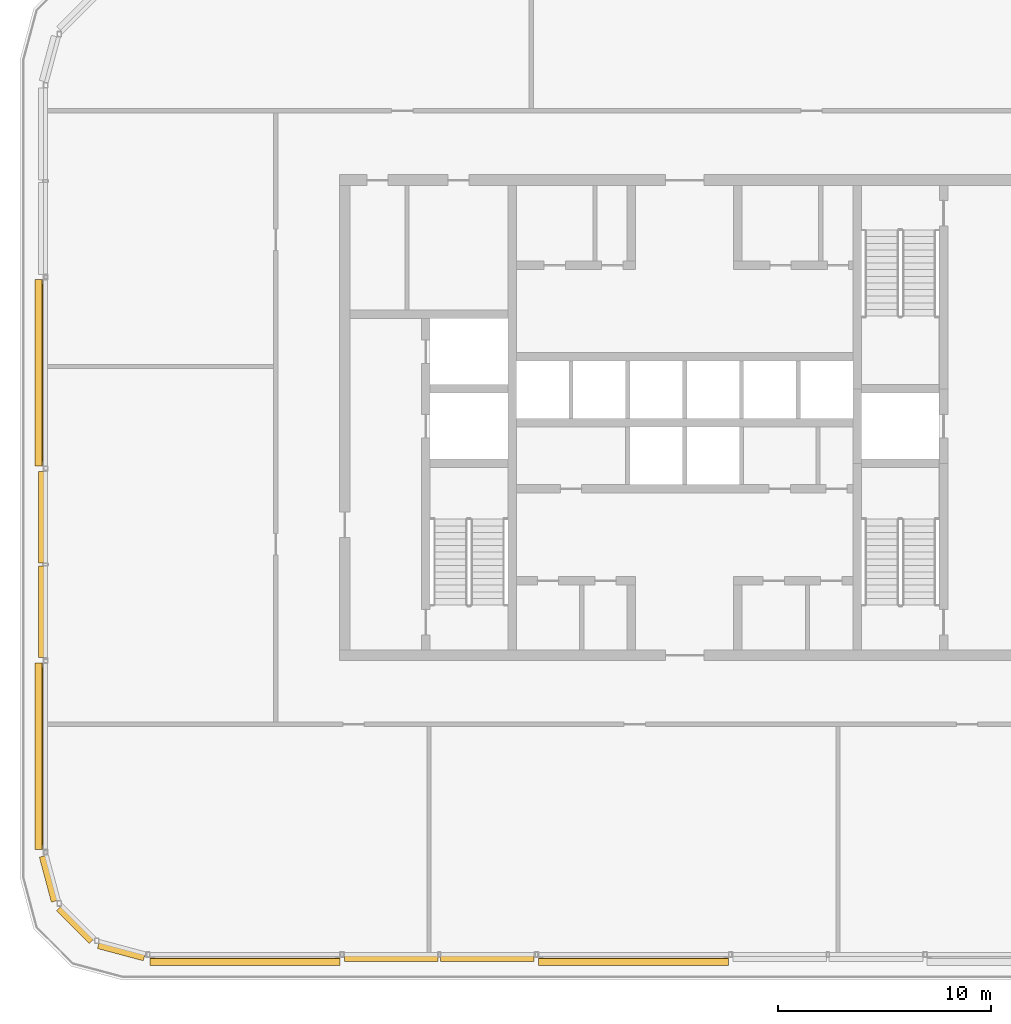
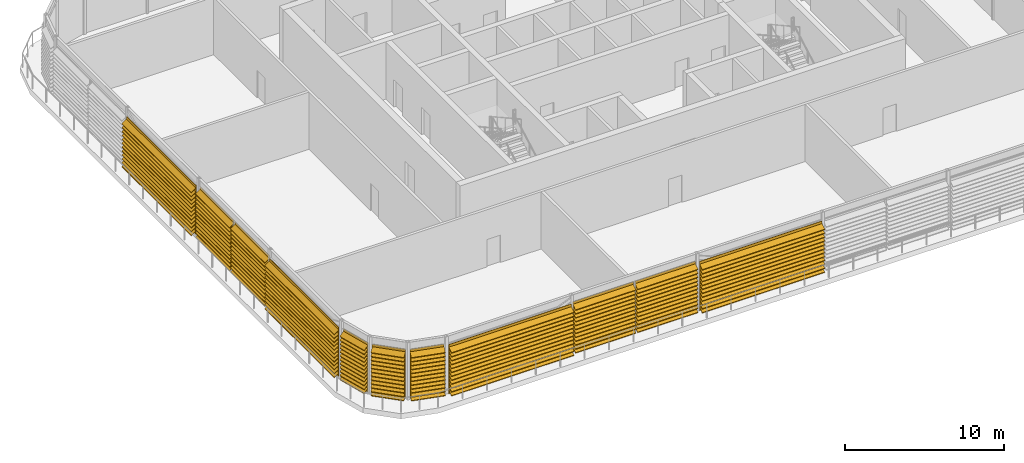
# One storey, part 24 of 29: 11 shading devices.
"""IFC4 building model written with IfcOpenShell, lengths in metres."""

from ifc_helpers import new_model, si_unit, direction, frame, origin, place, context, subcontext, project, spatial, polyline, outline, extrude, material, type_object, element, save


model = new_model("IFC4")

# Units and contexts
model_context = context("Model", 3, precision=1e-05, world=origin(), true_north=direction((0.0, 1.0)))
body_context = subcontext(model_context, "Body", "Model", "MODEL_VIEW")
ifc_project = project(units=[si_unit("LENGTHUNIT", "METRE"), si_unit("AREAUNIT", "SQUARE_METRE"), si_unit("VOLUMEUNIT", "CUBIC_METRE"), si_unit("PLANEANGLEUNIT", "RADIAN"), si_unit("MASSUNIT", "GRAM", prefix="KILO")], contexts=[model_context])

# Site, building, storey
site_placement = place(None, origin())
site = spatial("IfcSite", under=ifc_project, at=site_placement, CompositionType="ELEMENT")
building_placement = place(site_placement, origin())
building = spatial("IfcBuilding", under=site, at=building_placement, Name="Madar Terraces", CompositionType="ELEMENT")
storey_placement = place(building_placement, frame((0.0, 0.0, 296.300048828125)))
storey = spatial("IfcBuildingStorey", under=building, at=storey_placement, Name="L77", CompositionType="ELEMENT", Elevation=296.300048828125)

# Shading devices
ifc_material = material(Name="Aluminium, black anodised", Category="aluminium")
shading_device_type = type_object("IfcShadingDeviceType", Name="Crown louvre bank", PredefinedType="USERDEFINED", material=ifc_material)
shading_device_1_placement = place(storey_placement, frame((6.1015625, 1.199951171875, 0.0), z_axis=(1.0, 0.0, 0.0), x_axis=(0.0, 1.0, 0.0)))
element("IfcShadingDevice", 1, at=shading_device_1_placement, inside=storey, type_object=shading_device_type, Name="LOUVRE bank L77 1.1", ObjectType="LOUVRE", PredefinedType="USERDEFINED", context=body_context, shape_type="SweptSolid", body=[
    extrude(outline(polyline([(-0.156982421875, 0.0), (-0.18701171875, 0.0), (-0.18701171875, 0.24951171875), (-0.5146484375, 0.02001953125), (-0.5146484375, 0.06884765625), (-0.18701171875, 0.29833984375), (-0.18701171875, 0.54931640625), (-0.5146484375, 0.320068359375), (-0.5146484375, 0.368896484375), (-0.18701171875, 0.59814453125), (-0.18701171875, 0.849365234375), (-0.5146484375, 0.6201171875), (-0.5146484375, 0.6689453125), (-0.18701171875, 0.898193359375), (-0.18701171875, 1.1494140625), (-0.5146484375, 0.919921875), (-0.5146484375, 0.96875), (-0.18701171875, 1.1982421875), (-0.18701171875, 1.449462890625), (-0.5146484375, 1.219970703125), (-0.5146484375, 1.268798828125), (-0.18701171875, 1.498291015625), (-0.18701171875, 1.74951171875), (-0.5146484375, 1.52001953125), (-0.5146484375, 1.56884765625), (-0.18701171875, 1.79833984375), (-0.18701171875, 2.04931640625), (-0.5146484375, 1.820068359375), (-0.5146484375, 1.868896484375), (-0.18701171875, 2.09814453125), (-0.18701171875, 2.349365234375), (-0.5146484375, 2.1201171875), (-0.5146484375, 2.1689453125), (-0.18701171875, 2.398193359375), (-0.18701171875, 2.6494140625), (-0.5146484375, 2.419921875), (-0.5146484375, 2.46875), (-0.18701171875, 2.6982421875), (-0.18701171875, 2.949462890625), (-0.5146484375, 2.719970703125), (-0.5146484375, 2.768798828125), (-0.18701171875, 2.998291015625), (-0.18701171875, 3.24951171875), (-0.5146484375, 3.02001953125), (-0.5146484375, 3.06884765625), (-0.18701171875, 3.29833984375), (-0.18701171875, 3.54931640625), (-0.5146484375, 3.320068359375), (-0.5146484375, 3.368896484375), (-0.18701171875, 3.59814453125), (-0.18701171875, 3.798095703125), (-0.156982421875, 3.798095703125), (-0.156982421875, 0.0)])), origin(), (0.0, 0.0, 1.0), 8.916748046875),
])
shading_device_2_placement = place(storey_placement, frame((15.2216796875, 1.199951171875, 0.0), z_axis=(1.0, 0.0, 0.0), x_axis=(0.0, 1.0, 0.0)))
element("IfcShadingDevice", 2, at=shading_device_2_placement, inside=storey, type_object=shading_device_type, Name="LOUVRE bank L77 2.1", ObjectType="LOUVRE", PredefinedType="USERDEFINED", context=body_context, shape_type="SweptSolid", body=[
    extrude(outline(polyline([(0.014892578125, 0.0), (-0.014892578125, 0.0), (-0.014892578125, 0.24951171875), (-0.3427734375, 0.02001953125), (-0.3427734375, 0.06884765625), (-0.014892578125, 0.29833984375), (-0.014892578125, 0.54931640625), (-0.3427734375, 0.320068359375), (-0.3427734375, 0.368896484375), (-0.014892578125, 0.59814453125), (-0.014892578125, 0.849365234375), (-0.3427734375, 0.6201171875), (-0.3427734375, 0.6689453125), (-0.014892578125, 0.898193359375), (-0.014892578125, 1.1494140625), (-0.3427734375, 0.919921875), (-0.3427734375, 0.96875), (-0.014892578125, 1.1982421875), (-0.014892578125, 1.449462890625), (-0.3427734375, 1.219970703125), (-0.3427734375, 1.268798828125), (-0.014892578125, 1.498291015625), (-0.014892578125, 1.74951171875), (-0.3427734375, 1.52001953125), (-0.3427734375, 1.56884765625), (-0.014892578125, 1.79833984375), (-0.014892578125, 2.04931640625), (-0.3427734375, 1.820068359375), (-0.3427734375, 1.868896484375), (-0.014892578125, 2.09814453125), (-0.014892578125, 2.349365234375), (-0.3427734375, 2.1201171875), (-0.3427734375, 2.1689453125), (-0.014892578125, 2.398193359375), (-0.014892578125, 2.6494140625), (-0.3427734375, 2.419921875), (-0.3427734375, 2.46875), (-0.014892578125, 2.6982421875), (-0.014892578125, 2.949462890625), (-0.3427734375, 2.719970703125), (-0.3427734375, 2.768798828125), (-0.014892578125, 2.998291015625), (-0.014892578125, 3.24951171875), (-0.3427734375, 3.02001953125), (-0.3427734375, 3.06884765625), (-0.014892578125, 3.29833984375), (-0.014892578125, 3.54931640625), (-0.3427734375, 3.320068359375), (-0.3427734375, 3.368896484375), (-0.014892578125, 3.59814453125), (-0.014892578125, 3.798095703125), (0.014892578125, 3.798095703125), (0.014892578125, 0.0)])), origin(), (0.0, 0.0, 1.0), 4.394775390625),
])
shading_device_3_placement = place(storey_placement, frame((19.743408203125, 1.199951171875, 0.0), z_axis=(1.0, 0.0, 0.0), x_axis=(0.0, 1.0, 0.0)))
element("IfcShadingDevice", 3, at=shading_device_3_placement, inside=storey, type_object=shading_device_type, Name="LOUVRE bank L77 2.2", ObjectType="LOUVRE", PredefinedType="USERDEFINED", context=body_context, shape_type="SweptSolid", body=[
    extrude(outline(polyline([(0.014892578125, 0.0), (-0.014892578125, 0.0), (-0.014892578125, 0.24951171875), (-0.3427734375, 0.02001953125), (-0.3427734375, 0.06884765625), (-0.014892578125, 0.29833984375), (-0.014892578125, 0.54931640625), (-0.3427734375, 0.320068359375), (-0.3427734375, 0.368896484375), (-0.014892578125, 0.59814453125), (-0.014892578125, 0.849365234375), (-0.3427734375, 0.6201171875), (-0.3427734375, 0.6689453125), (-0.014892578125, 0.898193359375), (-0.014892578125, 1.1494140625), (-0.3427734375, 0.919921875), (-0.3427734375, 0.96875), (-0.014892578125, 1.1982421875), (-0.014892578125, 1.449462890625), (-0.3427734375, 1.219970703125), (-0.3427734375, 1.268798828125), (-0.014892578125, 1.498291015625), (-0.014892578125, 1.74951171875), (-0.3427734375, 1.52001953125), (-0.3427734375, 1.56884765625), (-0.014892578125, 1.79833984375), (-0.014892578125, 2.04931640625), (-0.3427734375, 1.820068359375), (-0.3427734375, 1.868896484375), (-0.014892578125, 2.09814453125), (-0.014892578125, 2.349365234375), (-0.3427734375, 2.1201171875), (-0.3427734375, 2.1689453125), (-0.014892578125, 2.398193359375), (-0.014892578125, 2.6494140625), (-0.3427734375, 2.419921875), (-0.3427734375, 2.46875), (-0.014892578125, 2.6982421875), (-0.014892578125, 2.949462890625), (-0.3427734375, 2.719970703125), (-0.3427734375, 2.768798828125), (-0.014892578125, 2.998291015625), (-0.014892578125, 3.24951171875), (-0.3427734375, 3.02001953125), (-0.3427734375, 3.06884765625), (-0.014892578125, 3.29833984375), (-0.014892578125, 3.54931640625), (-0.3427734375, 3.320068359375), (-0.3427734375, 3.368896484375), (-0.014892578125, 3.59814453125), (-0.014892578125, 3.798095703125), (0.014892578125, 3.798095703125), (0.014892578125, 0.0)])), origin(), (0.0, 0.0, 1.0), 4.39501953125),
])
shading_device_4_placement = place(storey_placement, frame((24.341552734375, 1.199951171875, 0.0), z_axis=(1.0, 0.0, 0.0), x_axis=(0.0, 1.0, 0.0)))
element("IfcShadingDevice", 4, at=shading_device_4_placement, inside=storey, type_object=shading_device_type, Name="LOUVRE bank L77 3.1", ObjectType="LOUVRE", PredefinedType="USERDEFINED", context=body_context, shape_type="SweptSolid", body=[
    extrude(outline(polyline([(-0.156982421875, 0.0), (-0.18701171875, 0.0), (-0.18701171875, 0.24951171875), (-0.5146484375, 0.02001953125), (-0.5146484375, 0.06884765625), (-0.18701171875, 0.29833984375), (-0.18701171875, 0.54931640625), (-0.5146484375, 0.320068359375), (-0.5146484375, 0.368896484375), (-0.18701171875, 0.59814453125), (-0.18701171875, 0.849365234375), (-0.5146484375, 0.6201171875), (-0.5146484375, 0.6689453125), (-0.18701171875, 0.898193359375), (-0.18701171875, 1.1494140625), (-0.5146484375, 0.919921875), (-0.5146484375, 0.96875), (-0.18701171875, 1.1982421875), (-0.18701171875, 1.449462890625), (-0.5146484375, 1.219970703125), (-0.5146484375, 1.268798828125), (-0.18701171875, 1.498291015625), (-0.18701171875, 1.74951171875), (-0.5146484375, 1.52001953125), (-0.5146484375, 1.56884765625), (-0.18701171875, 1.79833984375), (-0.18701171875, 2.04931640625), (-0.5146484375, 1.820068359375), (-0.5146484375, 1.868896484375), (-0.18701171875, 2.09814453125), (-0.18701171875, 2.349365234375), (-0.5146484375, 2.1201171875), (-0.5146484375, 2.1689453125), (-0.18701171875, 2.398193359375), (-0.18701171875, 2.6494140625), (-0.5146484375, 2.419921875), (-0.5146484375, 2.46875), (-0.18701171875, 2.6982421875), (-0.18701171875, 2.949462890625), (-0.5146484375, 2.719970703125), (-0.5146484375, 2.768798828125), (-0.18701171875, 2.998291015625), (-0.18701171875, 3.24951171875), (-0.5146484375, 3.02001953125), (-0.5146484375, 3.06884765625), (-0.18701171875, 3.29833984375), (-0.18701171875, 3.54931640625), (-0.5146484375, 3.320068359375), (-0.5146484375, 3.368896484375), (-0.18701171875, 3.59814453125), (-0.18701171875, 3.798095703125), (-0.156982421875, 3.798095703125), (-0.156982421875, 0.0)])), origin(), (0.0, 0.0, 1.0), 8.916748046875),
])
shading_device_5_placement = place(storey_placement, frame((1.199951171875, 32.873046875, 0.0), z_axis=(0.0, -1.0, 0.0), x_axis=(1.0, 0.0, 0.0)))
element("IfcShadingDevice", 5, at=shading_device_5_placement, inside=storey, type_object=shading_device_type, Name="LOUVRE bank L77 25.1", ObjectType="LOUVRE", PredefinedType="USERDEFINED", context=body_context, shape_type="SweptSolid", body=[
    extrude(outline(polyline([(-0.131591796875, 0.0), (-0.16162109375, 0.0), (-0.16162109375, 0.24951171875), (-0.4892578125, 0.02001953125), (-0.4892578125, 0.06884765625), (-0.16162109375, 0.29833984375), (-0.16162109375, 0.54931640625), (-0.4892578125, 0.320068359375), (-0.4892578125, 0.368896484375), (-0.16162109375, 0.59814453125), (-0.16162109375, 0.849365234375), (-0.4892578125, 0.6201171875), (-0.4892578125, 0.6689453125), (-0.16162109375, 0.898193359375), (-0.16162109375, 1.1494140625), (-0.4892578125, 0.919921875), (-0.4892578125, 0.96875), (-0.16162109375, 1.1982421875), (-0.16162109375, 1.449462890625), (-0.4892578125, 1.219970703125), (-0.4892578125, 1.268798828125), (-0.16162109375, 1.498291015625), (-0.16162109375, 1.74951171875), (-0.4892578125, 1.52001953125), (-0.4892578125, 1.56884765625), (-0.16162109375, 1.79833984375), (-0.16162109375, 2.04931640625), (-0.4892578125, 1.820068359375), (-0.4892578125, 1.868896484375), (-0.16162109375, 2.09814453125), (-0.16162109375, 2.349365234375), (-0.4892578125, 2.1201171875), (-0.4892578125, 2.1689453125), (-0.16162109375, 2.398193359375), (-0.16162109375, 2.6494140625), (-0.4892578125, 2.419921875), (-0.4892578125, 2.46875), (-0.16162109375, 2.6982421875), (-0.16162109375, 2.949462890625), (-0.4892578125, 2.719970703125), (-0.4892578125, 2.768798828125), (-0.16162109375, 2.998291015625), (-0.16162109375, 3.24951171875), (-0.4892578125, 3.02001953125), (-0.4892578125, 3.06884765625), (-0.16162109375, 3.29833984375), (-0.16162109375, 3.54931640625), (-0.4892578125, 3.320068359375), (-0.4892578125, 3.368896484375), (-0.16162109375, 3.59814453125), (-0.16162109375, 3.798095703125), (-0.131591796875, 3.798095703125), (-0.131591796875, 0.0)])), origin(), (0.0, 0.0, 1.0), 8.74609375),
])
shading_device_6_placement = place(storey_placement, frame((1.199951171875, 23.873046875, 0.0), z_axis=(0.0, -1.0, 0.0), x_axis=(1.0, 0.0, 0.0)))
element("IfcShadingDevice", 6, at=shading_device_6_placement, inside=storey, type_object=shading_device_type, Name="LOUVRE bank L77 26.1", ObjectType="LOUVRE", PredefinedType="USERDEFINED", context=body_context, shape_type="SweptSolid", body=[
    extrude(outline(polyline([(0.014892578125, 0.0), (-0.014892578125, 0.0), (-0.014892578125, 0.24951171875), (-0.3427734375, 0.02001953125), (-0.3427734375, 0.06884765625), (-0.014892578125, 0.29833984375), (-0.014892578125, 0.54931640625), (-0.3427734375, 0.320068359375), (-0.3427734375, 0.368896484375), (-0.014892578125, 0.59814453125), (-0.014892578125, 0.849365234375), (-0.3427734375, 0.6201171875), (-0.3427734375, 0.6689453125), (-0.014892578125, 0.898193359375), (-0.014892578125, 1.1494140625), (-0.3427734375, 0.919921875), (-0.3427734375, 0.96875), (-0.014892578125, 1.1982421875), (-0.014892578125, 1.449462890625), (-0.3427734375, 1.219970703125), (-0.3427734375, 1.268798828125), (-0.014892578125, 1.498291015625), (-0.014892578125, 1.74951171875), (-0.3427734375, 1.52001953125), (-0.3427734375, 1.56884765625), (-0.014892578125, 1.79833984375), (-0.014892578125, 2.04931640625), (-0.3427734375, 1.820068359375), (-0.3427734375, 1.868896484375), (-0.014892578125, 2.09814453125), (-0.014892578125, 2.349365234375), (-0.3427734375, 2.1201171875), (-0.3427734375, 2.1689453125), (-0.014892578125, 2.398193359375), (-0.014892578125, 2.6494140625), (-0.3427734375, 2.419921875), (-0.3427734375, 2.46875), (-0.014892578125, 2.6982421875), (-0.014892578125, 2.949462890625), (-0.3427734375, 2.719970703125), (-0.3427734375, 2.768798828125), (-0.014892578125, 2.998291015625), (-0.014892578125, 3.24951171875), (-0.3427734375, 3.02001953125), (-0.3427734375, 3.06884765625), (-0.014892578125, 3.29833984375), (-0.014892578125, 3.54931640625), (-0.3427734375, 3.320068359375), (-0.3427734375, 3.368896484375), (-0.014892578125, 3.59814453125), (-0.014892578125, 3.798095703125), (0.014892578125, 3.798095703125), (0.014892578125, 0.0)])), origin(), (0.0, 0.0, 1.0), 4.3095703125),
])
shading_device_7_placement = place(storey_placement, frame((1.199951171875, 19.4365234375, 0.0), z_axis=(0.0, -1.0, 0.0), x_axis=(1.0, 0.0, 0.0)))
element("IfcShadingDevice", 7, at=shading_device_7_placement, inside=storey, type_object=shading_device_type, Name="LOUVRE bank L77 26.2", ObjectType="LOUVRE", PredefinedType="USERDEFINED", context=body_context, shape_type="SweptSolid", body=[
    extrude(outline(polyline([(0.014892578125, 0.0), (-0.014892578125, 0.0), (-0.014892578125, 0.24951171875), (-0.3427734375, 0.02001953125), (-0.3427734375, 0.06884765625), (-0.014892578125, 0.29833984375), (-0.014892578125, 0.54931640625), (-0.3427734375, 0.320068359375), (-0.3427734375, 0.368896484375), (-0.014892578125, 0.59814453125), (-0.014892578125, 0.849365234375), (-0.3427734375, 0.6201171875), (-0.3427734375, 0.6689453125), (-0.014892578125, 0.898193359375), (-0.014892578125, 1.1494140625), (-0.3427734375, 0.919921875), (-0.3427734375, 0.96875), (-0.014892578125, 1.1982421875), (-0.014892578125, 1.449462890625), (-0.3427734375, 1.219970703125), (-0.3427734375, 1.268798828125), (-0.014892578125, 1.498291015625), (-0.014892578125, 1.74951171875), (-0.3427734375, 1.52001953125), (-0.3427734375, 1.56884765625), (-0.014892578125, 1.79833984375), (-0.014892578125, 2.04931640625), (-0.3427734375, 1.820068359375), (-0.3427734375, 1.868896484375), (-0.014892578125, 2.09814453125), (-0.014892578125, 2.349365234375), (-0.3427734375, 2.1201171875), (-0.3427734375, 2.1689453125), (-0.014892578125, 2.398193359375), (-0.014892578125, 2.6494140625), (-0.3427734375, 2.419921875), (-0.3427734375, 2.46875), (-0.014892578125, 2.6982421875), (-0.014892578125, 2.949462890625), (-0.3427734375, 2.719970703125), (-0.3427734375, 2.768798828125), (-0.014892578125, 2.998291015625), (-0.014892578125, 3.24951171875), (-0.3427734375, 3.02001953125), (-0.3427734375, 3.06884765625), (-0.014892578125, 3.29833984375), (-0.014892578125, 3.54931640625), (-0.3427734375, 3.320068359375), (-0.3427734375, 3.368896484375), (-0.014892578125, 3.59814453125), (-0.014892578125, 3.798095703125), (0.014892578125, 3.798095703125), (0.014892578125, 0.0)])), origin(), (0.0, 0.0, 1.0), 4.3095703125),
])
shading_device_8_placement = place(storey_placement, frame((1.199951171875, 14.873046875, 0.0), z_axis=(0.0, -1.0, 0.0), x_axis=(1.0, 0.0, 0.0)))
element("IfcShadingDevice", 8, at=shading_device_8_placement, inside=storey, type_object=shading_device_type, Name="LOUVRE bank L77 27.1", ObjectType="LOUVRE", PredefinedType="USERDEFINED", context=body_context, shape_type="SweptSolid", body=[
    extrude(outline(polyline([(-0.131591796875, 0.0), (-0.16162109375, 0.0), (-0.16162109375, 0.24951171875), (-0.4892578125, 0.02001953125), (-0.4892578125, 0.06884765625), (-0.16162109375, 0.29833984375), (-0.16162109375, 0.54931640625), (-0.4892578125, 0.320068359375), (-0.4892578125, 0.368896484375), (-0.16162109375, 0.59814453125), (-0.16162109375, 0.849365234375), (-0.4892578125, 0.6201171875), (-0.4892578125, 0.6689453125), (-0.16162109375, 0.898193359375), (-0.16162109375, 1.1494140625), (-0.4892578125, 0.919921875), (-0.4892578125, 0.96875), (-0.16162109375, 1.1982421875), (-0.16162109375, 1.449462890625), (-0.4892578125, 1.219970703125), (-0.4892578125, 1.268798828125), (-0.16162109375, 1.498291015625), (-0.16162109375, 1.74951171875), (-0.4892578125, 1.52001953125), (-0.4892578125, 1.56884765625), (-0.16162109375, 1.79833984375), (-0.16162109375, 2.04931640625), (-0.4892578125, 1.820068359375), (-0.4892578125, 1.868896484375), (-0.16162109375, 2.09814453125), (-0.16162109375, 2.349365234375), (-0.4892578125, 2.1201171875), (-0.4892578125, 2.1689453125), (-0.16162109375, 2.398193359375), (-0.16162109375, 2.6494140625), (-0.4892578125, 2.419921875), (-0.4892578125, 2.46875), (-0.16162109375, 2.6982421875), (-0.16162109375, 2.949462890625), (-0.4892578125, 2.719970703125), (-0.4892578125, 2.768798828125), (-0.16162109375, 2.998291015625), (-0.16162109375, 3.24951171875), (-0.4892578125, 3.02001953125), (-0.4892578125, 3.06884765625), (-0.16162109375, 3.29833984375), (-0.16162109375, 3.54931640625), (-0.4892578125, 3.320068359375), (-0.4892578125, 3.368896484375), (-0.16162109375, 3.59814453125), (-0.16162109375, 3.798095703125), (-0.131591796875, 3.798095703125), (-0.131591796875, 0.0)])), origin(), (0.0, 0.0, 1.0), 8.74609375),
])
shading_device_9_placement = place(storey_placement, frame((1.238525390625, 5.856201171875, 0.0), z_axis=(0.258788169352, -0.965934098893, 0.0), x_axis=(0.965934098893, 0.258788169352, 0.0)))
element("IfcShadingDevice", 9, at=shading_device_9_placement, inside=storey, type_object=shading_device_type, Name="LOUVRE bank L77 28.1", ObjectType="LOUVRE", PredefinedType="USERDEFINED", context=body_context, shape_type="SweptSolid", body=[
    extrude(outline(polyline([(0.014892578125, 0.0), (-0.014892578125, 0.0), (-0.014892578125, 0.24951171875), (-0.3427734375, 0.02001953125), (-0.3427734375, 0.06884765625), (-0.014892578125, 0.29833984375), (-0.014892578125, 0.54931640625), (-0.3427734375, 0.320068359375), (-0.3427734375, 0.368896484375), (-0.014892578125, 0.59814453125), (-0.014892578125, 0.849365234375), (-0.3427734375, 0.6201171875), (-0.3427734375, 0.6689453125), (-0.014892578125, 0.898193359375), (-0.014892578125, 1.1494140625), (-0.3427734375, 0.919921875), (-0.3427734375, 0.96875), (-0.014892578125, 1.1982421875), (-0.014892578125, 1.449462890625), (-0.3427734375, 1.219970703125), (-0.3427734375, 1.268798828125), (-0.014892578125, 1.498291015625), (-0.014892578125, 1.74951171875), (-0.3427734375, 1.52001953125), (-0.3427734375, 1.56884765625), (-0.014892578125, 1.79833984375), (-0.014892578125, 2.04931640625), (-0.3427734375, 1.820068359375), (-0.3427734375, 1.868896484375), (-0.014892578125, 2.09814453125), (-0.014892578125, 2.349365234375), (-0.3427734375, 2.1201171875), (-0.3427734375, 2.1689453125), (-0.014892578125, 2.398193359375), (-0.014892578125, 2.6494140625), (-0.3427734375, 2.419921875), (-0.3427734375, 2.46875), (-0.014892578125, 2.6982421875), (-0.014892578125, 2.949462890625), (-0.3427734375, 2.719970703125), (-0.3427734375, 2.768798828125), (-0.014892578125, 2.998291015625), (-0.014892578125, 3.24951171875), (-0.3427734375, 3.02001953125), (-0.3427734375, 3.06884765625), (-0.014892578125, 3.29833984375), (-0.014892578125, 3.54931640625), (-0.3427734375, 3.320068359375), (-0.3427734375, 3.368896484375), (-0.014892578125, 3.59814453125), (-0.014892578125, 3.798095703125), (0.014892578125, 3.798095703125), (0.014892578125, 0.0)])), origin(), (0.0, 0.0, 1.0), 2.186767578125),
])
shading_device_10_placement = place(storey_placement, frame((1.957275390625, 3.485595703125, 0.0), z_axis=(0.707106781187, -0.707106781187, 0.0), x_axis=(0.707106781187, 0.707106781187, 0.0)))
element("IfcShadingDevice", 10, at=shading_device_10_placement, inside=storey, type_object=shading_device_type, Name="LOUVRE bank L77 29.1", ObjectType="LOUVRE", PredefinedType="USERDEFINED", context=body_context, shape_type="SweptSolid", body=[
    extrude(outline(polyline([(0.014892578125, 0.0), (-0.014892578125, 0.0), (-0.014892578125, 0.24951171875), (-0.3427734375, 0.02001953125), (-0.3427734375, 0.06884765625), (-0.014892578125, 0.29833984375), (-0.014892578125, 0.54931640625), (-0.3427734375, 0.320068359375), (-0.3427734375, 0.368896484375), (-0.014892578125, 0.59814453125), (-0.014892578125, 0.849365234375), (-0.3427734375, 0.6201171875), (-0.3427734375, 0.6689453125), (-0.014892578125, 0.898193359375), (-0.014892578125, 1.1494140625), (-0.3427734375, 0.919921875), (-0.3427734375, 0.96875), (-0.014892578125, 1.1982421875), (-0.014892578125, 1.449462890625), (-0.3427734375, 1.219970703125), (-0.3427734375, 1.268798828125), (-0.014892578125, 1.498291015625), (-0.014892578125, 1.74951171875), (-0.3427734375, 1.52001953125), (-0.3427734375, 1.56884765625), (-0.014892578125, 1.79833984375), (-0.014892578125, 2.04931640625), (-0.3427734375, 1.820068359375), (-0.3427734375, 1.868896484375), (-0.014892578125, 2.09814453125), (-0.014892578125, 2.349365234375), (-0.3427734375, 2.1201171875), (-0.3427734375, 2.1689453125), (-0.014892578125, 2.398193359375), (-0.014892578125, 2.6494140625), (-0.3427734375, 2.419921875), (-0.3427734375, 2.46875), (-0.014892578125, 2.6982421875), (-0.014892578125, 2.949462890625), (-0.3427734375, 2.719970703125), (-0.3427734375, 2.768798828125), (-0.014892578125, 2.998291015625), (-0.014892578125, 3.24951171875), (-0.3427734375, 3.02001953125), (-0.3427734375, 3.06884765625), (-0.014892578125, 3.29833984375), (-0.014892578125, 3.54931640625), (-0.3427734375, 3.320068359375), (-0.3427734375, 3.368896484375), (-0.014892578125, 3.59814453125), (-0.014892578125, 3.798095703125), (0.014892578125, 3.798095703125), (0.014892578125, 0.0)])), origin(), (0.0, 0.0, 1.0), 2.161376953125),
])
shading_device_11_placement = place(storey_placement, frame((3.7265625, 1.80908203125, 0.0), z_axis=(0.965935304808, -0.258783668197, 0.0), x_axis=(0.258783668197, 0.965935304808, 0.0)))
element("IfcShadingDevice", 11, at=shading_device_11_placement, inside=storey, type_object=shading_device_type, Name="LOUVRE bank L77 30.1", ObjectType="LOUVRE", PredefinedType="USERDEFINED", context=body_context, shape_type="SweptSolid", body=[
    extrude(outline(polyline([(0.014892578125, 0.0), (-0.014892578125, 0.0), (-0.014892578125, 0.24951171875), (-0.3427734375, 0.02001953125), (-0.3427734375, 0.06884765625), (-0.014892578125, 0.29833984375), (-0.014892578125, 0.54931640625), (-0.3427734375, 0.320068359375), (-0.3427734375, 0.368896484375), (-0.014892578125, 0.59814453125), (-0.014892578125, 0.849365234375), (-0.3427734375, 0.6201171875), (-0.3427734375, 0.6689453125), (-0.014892578125, 0.898193359375), (-0.014892578125, 1.1494140625), (-0.3427734375, 0.919921875), (-0.3427734375, 0.96875), (-0.014892578125, 1.1982421875), (-0.014892578125, 1.449462890625), (-0.3427734375, 1.219970703125), (-0.3427734375, 1.268798828125), (-0.014892578125, 1.498291015625), (-0.014892578125, 1.74951171875), (-0.3427734375, 1.52001953125), (-0.3427734375, 1.56884765625), (-0.014892578125, 1.79833984375), (-0.014892578125, 2.04931640625), (-0.3427734375, 1.820068359375), (-0.3427734375, 1.868896484375), (-0.014892578125, 2.09814453125), (-0.014892578125, 2.349365234375), (-0.3427734375, 2.1201171875), (-0.3427734375, 2.1689453125), (-0.014892578125, 2.398193359375), (-0.014892578125, 2.6494140625), (-0.3427734375, 2.419921875), (-0.3427734375, 2.46875), (-0.014892578125, 2.6982421875), (-0.014892578125, 2.949462890625), (-0.3427734375, 2.719970703125), (-0.3427734375, 2.768798828125), (-0.014892578125, 2.998291015625), (-0.014892578125, 3.24951171875), (-0.3427734375, 3.02001953125), (-0.3427734375, 3.06884765625), (-0.014892578125, 3.29833984375), (-0.014892578125, 3.54931640625), (-0.3427734375, 3.320068359375), (-0.3427734375, 3.368896484375), (-0.014892578125, 3.59814453125), (-0.014892578125, 3.798095703125), (0.014892578125, 3.798095703125), (0.014892578125, 0.0)])), origin(), (0.0, 0.0, 1.0), 2.22265625),
])

save(model, "model.ifc")
